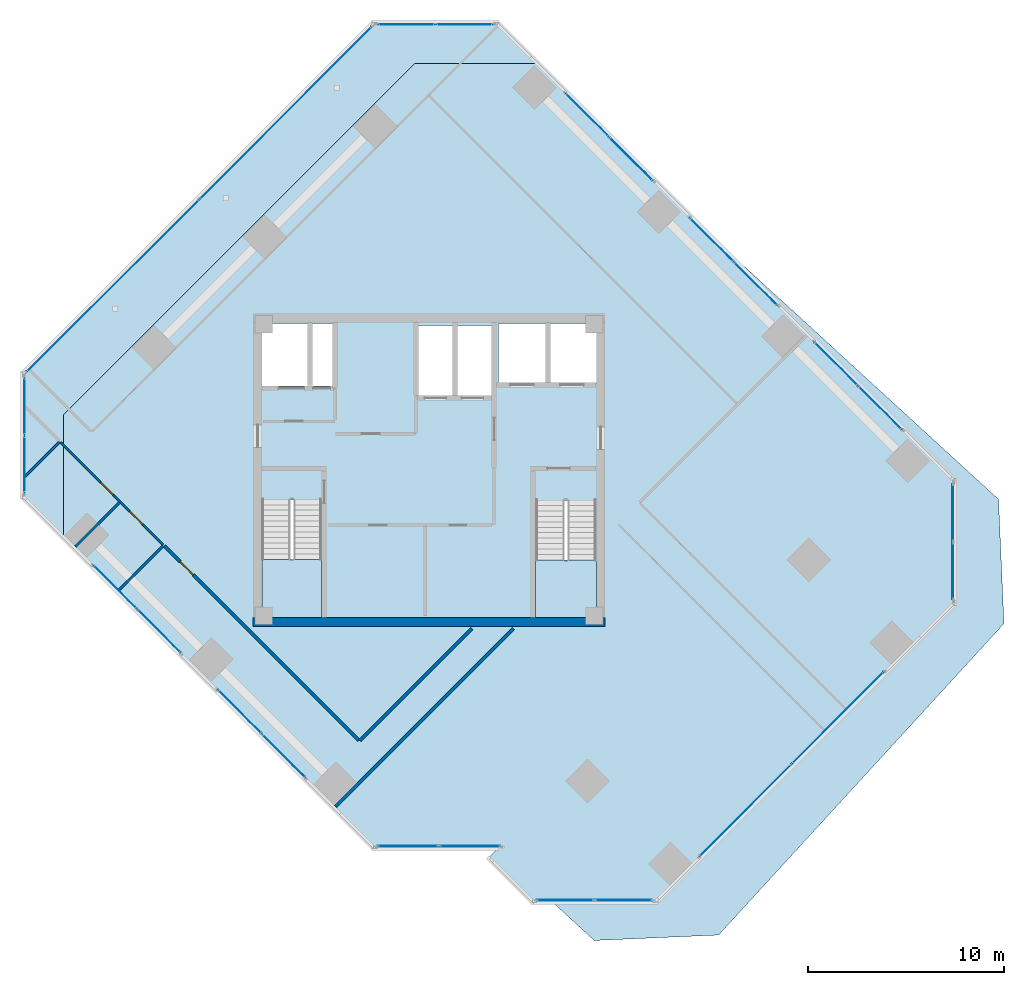
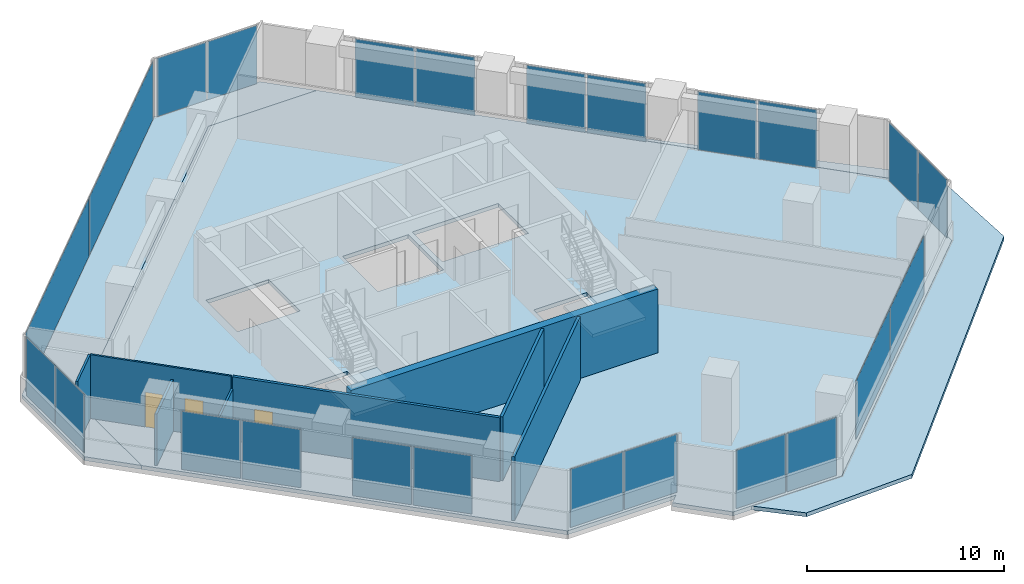
# One storey, part 12 of 17: 24 plates, 8 walls, 5 slabs, 3 doors, 3 openings, 14 elements without a shape of their own.
"""IFC4 building model written with IfcOpenShell, lengths in metres."""

from ifc_helpers import new_model, si_unit, direction, frame, frame_2d, origin, origin_2d, place, context, subcontext, project, spatial, polyline, rectangle, outline, extrude, source, transform, mapped, material, layer, layer_set, type_object, element, fill, aggregate, save


model = new_model("IFC4")

# Units and contexts
model_context = context("Model", 3, precision=1e-05, world=origin(), true_north=direction((0.0, 1.0)))
body_context = subcontext(model_context, "Body", "Model", "MODEL_VIEW")
ifc_project = project(units=[si_unit("LENGTHUNIT", "METRE"), si_unit("AREAUNIT", "SQUARE_METRE"), si_unit("VOLUMEUNIT", "CUBIC_METRE"), si_unit("PLANEANGLEUNIT", "RADIAN"), si_unit("MASSUNIT", "GRAM", prefix="KILO")], contexts=[model_context])

# Site, building, storey
site_placement = place(None, origin())
site = spatial("IfcSite", under=ifc_project, at=site_placement, CompositionType="ELEMENT")
building_placement = place(site_placement, origin())
building = spatial("IfcBuilding", under=site, at=building_placement, Name="Torre Montelarca", CompositionType="ELEMENT")
storey_placement = place(building_placement, frame((0.0, 0.0, 241.60009765625)))
storey = spatial("IfcBuildingStorey", under=building, at=storey_placement, Name="L54", CompositionType="ELEMENT", Elevation=241.60009765625)

# Slabs
ifc_material_1 = material(Name="Concrete C40/50", Category="concrete")
ifc_layer_1 = layer(ifc_material_1, 0.239990234375, Name="Concrete C40/50", Category="concrete")
ifc_layer_set_1 = layer_set([ifc_layer_1], Name="Concrete C40/50")
slab_type_1 = type_object("IfcSlabType", Name="SL-FLR-240", PredefinedType="FLOOR", material=ifc_layer_set_1)
slab_1_placement = place(storey_placement, frame((0.0, 0.0, -0.239990234375)))
element("IfcSlab", 1, at=slab_1_placement, inside=storey, type_object=slab_type_1, Name="L54 Structural Floor Slab", PredefinedType="FLOOR", context=body_context, shape_type="SweptSolid", body=[
    extrude(outline(polyline([(15.135986328125, 12.625244140625), (21.5, 12.625244140625), (21.0048828125, 12.13037109375), (23.267822265625, 9.86767578125), (29.631591796875, 9.86767578125), (44.9052734375, 25.14111328125), (44.9052734375, 31.5048828125), (23.621337890625, 52.788818359375), (17.25732421875, 52.788818359375), (-0.703125, 34.828369140625), (-0.703125, 28.464599609375), (15.135986328125, 12.625244140625)]), holes=[polyline([(26.550048828125, 24.449951171875), (23.43994140625, 24.449951171875), (23.43994140625, 30.429931640625), (26.550048828125, 30.429931640625), (26.550048828125, 24.449951171875)]), polyline([(12.5, 24.449951171875), (9.449951171875, 24.449951171875), (9.449951171875, 30.4599609375), (12.5, 30.4599609375), (12.5, 24.449951171875)]), polyline([(21.25, 39.39990234375), (21.25, 35.800048828125), (17.39990234375, 35.800048828125), (17.39990234375, 39.39990234375), (21.25, 39.39990234375)]), polyline([(13.1201171875, 36.300048828125), (9.449951171875, 36.300048828125), (9.449951171875, 39.5), (13.1201171875, 39.5), (13.1201171875, 36.300048828125)]), polyline([(26.60009765625, 36.449951171875), (21.550048828125, 36.449951171875), (21.550048828125, 39.5), (26.60009765625, 39.5), (26.60009765625, 36.449951171875)])]), origin(), (0.0, 0.0, 1.0), 0.239990234375),
])
slab_2_placement = place(storey_placement, frame((0.0, 0.0, -0.239990234375)))
element("IfcSlab", 2, at=slab_2_placement, inside=storey, type_object=slab_type_1, Name="L54 Sliding Tray Winter Garden Floor Slab W1", PredefinedType="FLOOR", context=body_context, shape_type="SweptSolid", body=[
    extrude(outline(polyline([(-0.703125, 28.464599609375), (-0.703125, 34.828369140625), (17.25732421875, 52.788818359375), (23.621337890625, 52.788818359375), (21.5, 54.910400390625), (15.135986328125, 54.910400390625), (-2.824462890625, 36.94970703125), (-2.824462890625, 30.585693359375), (-0.703125, 28.464599609375)])), origin(), (0.0, 0.0, 1.0), 0.239990234375),
])
ifc_material_2 = material(Name="Architectural concrete C40/50", Category="concrete")
ifc_layer_2 = layer(ifc_material_2, 0.239990234375, Name="Architectural concrete C40/50", Category="concrete")
ifc_layer_set_2 = layer_set([ifc_layer_2], Name="Architectural concrete C40/50")
slab_type_2 = type_object("IfcSlabType", Name="SL-ROOF-EXT-240", PredefinedType="ROOF", material=ifc_layer_set_2)
slab_3_placement = place(storey_placement, frame((0.0, 0.0, -0.239990234375)))
element("IfcSlab", 3, at=slab_3_placement, inside=storey, type_object=slab_type_2, Name="L53 Setback and Tray Overhang Roof Cap Slab 01", PredefinedType="ROOF", context=body_context, shape_type="SweptSolid", body=[
    extrude(outline(polyline([(44.9130859375, 31.50830078125), (44.9130859375, 25.1376953125), (29.635009765625, 9.859619140625), (24.347412109375, 9.859619140625), (26.443359375, 7.93896484375), (32.80126953125, 8.216552734375), (47.39404296875, 24.1416015625), (47.116455078125, 30.49951171875), (32.84033203125, 43.581298828125), (44.9130859375, 31.50830078125)])), origin(), (0.0, 0.0, 1.0), 0.239990234375),
])

# Stair, slab
stair_type_1 = type_object("IfcStairType", Name="ST-CORE-ST1", PredefinedType="HALF_TURN_STAIR", material=ifc_material_1)
stair_1_placement = place(storey_placement, origin())
stair_1 = element("IfcStair", 4, at=stair_1_placement, inside=storey, type_object=stair_type_1, Name="L54 Protected Exit Stair ST1", PredefinedType="HALF_TURN_STAIR")
ifc_layer_3 = layer(ifc_material_1, 0.199951171875, Name="Concrete C40/50", Category="concrete")
ifc_layer_set_3 = layer_set([ifc_layer_3], Name="Concrete C40/50")
slab_type_3 = type_object("IfcSlabType", Name="SL-ST-LAND-ST1", PredefinedType="LANDING", material=ifc_layer_set_3)
slab_4_placement = place(storey_placement, frame((0.0, 0.0, 1.89990234375)))
slab_4 = element("IfcSlab", 5, at=slab_4_placement, type_object=slab_type_3, Name="ST1 landing 1", PredefinedType="LANDING", context=body_context, shape_type="SweptSolid", body=[
    extrude(outline(polyline([(9.449951171875, 27.419921875), (9.449951171875, 24.449951171875), (12.5, 24.449951171875), (12.5, 27.419921875), (9.449951171875, 27.419921875)])), origin(), (0.0, 0.0, 1.0), 0.199951171875),
])
aggregate(stair_1, [slab_4])

stair_type_2 = type_object("IfcStairType", Name="ST-CORE-ST2", PredefinedType="HALF_TURN_STAIR", material=ifc_material_1)
stair_2_placement = place(storey_placement, origin())
stair_2 = element("IfcStair", 6, at=stair_2_placement, inside=storey, type_object=stair_type_2, Name="L54 Protected Exit Stair ST2", PredefinedType="HALF_TURN_STAIR")
ifc_layer_4 = layer(ifc_material_1, 0.199951171875, Name="Concrete C40/50", Category="concrete")
ifc_layer_set_4 = layer_set([ifc_layer_4], Name="Concrete C40/50")
slab_type_4 = type_object("IfcSlabType", Name="SL-ST-LAND-ST2", PredefinedType="LANDING", material=ifc_layer_set_4)
slab_5_placement = place(storey_placement, frame((0.0, 0.0, 1.89990234375)))
slab_5 = element("IfcSlab", 7, at=slab_5_placement, type_object=slab_type_4, Name="ST2 landing 1", PredefinedType="LANDING", context=body_context, shape_type="SweptSolid", body=[
    extrude(outline(polyline([(23.43994140625, 27.389892578125), (23.43994140625, 24.449951171875), (26.550048828125, 24.449951171875), (26.550048828125, 27.389892578125), (23.43994140625, 27.389892578125)])), origin(), (0.0, 0.0, 1.0), 0.199951171875),
])
aggregate(stair_2, [slab_5])

# Curtain wall, plates
ifc_material_3 = material(Name="Insulated low-E laminated glass", Category="glass")
curtain_wall_type = type_object("IfcCurtainWallType", Name="CW-SYS-Z3", PredefinedType="USERDEFINED", material=ifc_material_3)
curtain_wall_1_placement = place(storey_placement, origin())
curtain_wall_1 = element("IfcCurtainWall", 8, at=curtain_wall_1_placement, inside=storey, type_object=curtain_wall_type, Name="L54 Curtain Wall Run CW-T3-L54-E02-B1", ObjectType="UNITISED GLAZING", PredefinedType="USERDEFINED")
ifc_layer_5 = layer(ifc_material_3, 0.031982421875, Name="Insulated low-E laminated glass", Category="glass")
ifc_layer_set_5 = layer_set([ifc_layer_5], Name="Insulated low-E laminated glass")
plate_type = type_object("IfcPlateType", Name="CWP-GLZ-32", PredefinedType="CURTAIN_PANEL", material=ifc_layer_set_5)
shared_shape_1 = source(origin(), body_context, "Body", "SweptSolid", [
    extrude(rectangle(XDim=3.08740234375, YDim=0.031982421875, at=origin_2d()), origin(), (0.0, 0.0, 1.0), 3.610107421875),
])
plate_1_placement = place(storey_placement, frame((16.920654296875, 12.75537109375, 0.0546875), z_axis=(0.0, 0.0, 1.0), x_axis=(1.0, 0.0, 0.0)))
plate_1 = element("IfcPlate", 9, at=plate_1_placement, type_object=plate_type, Name="CW panel 1.1", PredefinedType="CURTAIN_PANEL", context=body_context, shape_type="MappedRepresentation", body=[
    mapped(shared_shape_1, transform((0.0, 0.0, 0.0), scale=1.0)),
])
plate_2_placement = place(storey_placement, frame((20.0830078125, 12.75537109375, 0.0546875), z_axis=(0.0, 0.0, 1.0), x_axis=(1.0, 0.0, 0.0)))
plate_2 = element("IfcPlate", 10, at=plate_2_placement, type_object=plate_type, Name="CW panel 2.1", PredefinedType="CURTAIN_PANEL", context=body_context, shape_type="MappedRepresentation", body=[
    mapped(shared_shape_1, transform((0.0, 0.0, 0.0), scale=1.0)),
])
aggregate(curtain_wall_1, [plate_1, plate_2])

curtain_wall_2_placement = place(storey_placement, origin())
curtain_wall_2 = element("IfcCurtainWall", 11, at=curtain_wall_2_placement, inside=storey, type_object=curtain_wall_type, Name="L54 Curtain Wall Run CW-T3-L54-E05-B1", ObjectType="UNITISED GLAZING", PredefinedType="USERDEFINED")
shared_shape_2 = source(origin(), body_context, "Body", "SweptSolid", [
    extrude(rectangle(XDim=2.903564453125, YDim=0.031982421875, at=origin_2d()), origin(), (0.0, 0.0, 1.0), 3.610107421875),
])
plate_3_placement = place(storey_placement, frame((24.96044921875, 9.99755859375, 0.0546875), z_axis=(0.0, 0.0, 1.0), x_axis=(1.0, 0.0, 0.0)))
plate_3 = element("IfcPlate", 12, at=plate_3_placement, type_object=plate_type, Name="CW panel 1.1", PredefinedType="CURTAIN_PANEL", context=body_context, shape_type="MappedRepresentation", body=[
    mapped(shared_shape_2, transform((0.0, 0.0, 0.0), scale=1.0)),
])
plate_4_placement = place(storey_placement, frame((27.93896484375, 9.99755859375, 0.0546875), z_axis=(0.0, 0.0, 1.0), x_axis=(1.0, 0.0, 0.0)))
plate_4 = element("IfcPlate", 13, at=plate_4_placement, type_object=plate_type, Name="CW panel 2.1", PredefinedType="CURTAIN_PANEL", context=body_context, shape_type="MappedRepresentation", body=[
    mapped(shared_shape_2, transform((0.0, 0.0, 0.0), scale=1.0)),
])
aggregate(curtain_wall_2, [plate_3, plate_4])

curtain_wall_3_placement = place(storey_placement, origin())
curtain_wall_3 = element("IfcCurtainWall", 14, at=curtain_wall_3_placement, inside=storey, type_object=curtain_wall_type, Name="L54 Curtain Wall Run CW-T3-L54-E07-B1", ObjectType="UNITISED GLAZING", PredefinedType="USERDEFINED")
plate_5_placement = place(storey_placement, frame((44.775146484375, 26.833740234375, 0.0546875), z_axis=(0.0, 0.0, 1.0), x_axis=(0.0, 1.0, 0.0)))
plate_5 = element("IfcPlate", 15, at=plate_5_placement, type_object=plate_type, Name="CW panel 1.1", PredefinedType="CURTAIN_PANEL", context=body_context, shape_type="MappedRepresentation", body=[
    mapped(shared_shape_2, transform((0.0, 0.0, 0.0), scale=1.0)),
])
plate_6_placement = place(storey_placement, frame((44.775146484375, 29.812255859375, 0.0546875), z_axis=(0.0, 0.0, 1.0), x_axis=(0.0, 1.0, 0.0)))
plate_6 = element("IfcPlate", 16, at=plate_6_placement, type_object=plate_type, Name="CW panel 2.1", PredefinedType="CURTAIN_PANEL", context=body_context, shape_type="MappedRepresentation", body=[
    mapped(shared_shape_2, transform((0.0, 0.0, 0.0), scale=1.0)),
])
aggregate(curtain_wall_3, [plate_5, plate_6])

curtain_wall_4_placement = place(storey_placement, origin())
curtain_wall_4 = element("IfcCurtainWall", 17, at=curtain_wall_4_placement, inside=storey, type_object=curtain_wall_type, Name="L54 Curtain Wall Run CW-T3-L54-E11-B1", ObjectType="UNITISED GLAZING", PredefinedType="USERDEFINED")
plate_7_placement = place(storey_placement, frame((-2.694580078125, 35.257080078125, 0.0546875), z_axis=(0.0, 0.0, 1.0), x_axis=(0.0, -1.0, 0.0)))
plate_7 = element("IfcPlate", 18, at=plate_7_placement, type_object=plate_type, Name="CW panel 1.1", PredefinedType="CURTAIN_PANEL", context=body_context, shape_type="MappedRepresentation", body=[
    mapped(shared_shape_2, transform((0.0, 0.0, 0.0), scale=1.0)),
])
plate_8_placement = place(storey_placement, frame((-2.694580078125, 32.2783203125, 0.0546875), z_axis=(0.0, 0.0, 1.0), x_axis=(0.0, -1.0, 0.0)))
plate_8 = element("IfcPlate", 19, at=plate_8_placement, type_object=plate_type, Name="CW panel 2.1", PredefinedType="CURTAIN_PANEL", context=body_context, shape_type="MappedRepresentation", body=[
    mapped(shared_shape_2, transform((0.0, 0.0, 0.0), scale=1.0)),
])
aggregate(curtain_wall_4, [plate_7, plate_8])

curtain_wall_5_placement = place(storey_placement, origin())
curtain_wall_5 = element("IfcCurtainWall", 20, at=curtain_wall_5_placement, inside=storey, type_object=curtain_wall_type, Name="L54 Curtain Wall Run CW-T3-L54-E10-B1", ObjectType="UNITISED GLAZING", PredefinedType="USERDEFINED")
shared_shape_3 = source(origin(), body_context, "Body", "SweptSolid", [
    extrude(rectangle(XDim=12.421630859375, YDim=0.031982421875, at=origin_2d()), origin(), (0.0, 0.0, 1.0), 3.610107421875),
])
plate_9_placement = place(storey_placement, frame((10.665771484375, 50.25634765625, 0.0546875), z_axis=(0.0, 0.0, 1.0), x_axis=(-0.707104786625, -0.707108775742, 0.0)))
plate_9 = element("IfcPlate", 21, at=plate_9_placement, type_object=plate_type, Name="CW panel 1.1", PredefinedType="CURTAIN_PANEL", context=body_context, shape_type="MappedRepresentation", body=[
    mapped(shared_shape_3, transform((0.0, 0.0, 0.0), scale=1.0)),
])
plate_10_placement = place(storey_placement, frame((1.829345703125, 41.419921875, 0.0546875), z_axis=(0.0, 0.0, 1.0), x_axis=(-0.707104786625, -0.707108775742, 0.0)))
plate_10 = element("IfcPlate", 22, at=plate_10_placement, type_object=plate_type, Name="CW panel 2.1", PredefinedType="CURTAIN_PANEL", context=body_context, shape_type="MappedRepresentation", body=[
    mapped(shared_shape_3, transform((0.0, 0.0, 0.0), scale=1.0)),
])
aggregate(curtain_wall_5, [plate_9, plate_10])

curtain_wall_6_placement = place(storey_placement, origin())
curtain_wall_6 = element("IfcCurtainWall", 23, at=curtain_wall_6_placement, inside=storey, type_object=curtain_wall_type, Name="L54 Curtain Wall Run CW-T3-L54-E01-B1", ObjectType="UNITISED GLAZING", PredefinedType="USERDEFINED")
shared_shape_4 = source(origin(), body_context, "Body", "SweptSolid", [
    extrude(rectangle(XDim=3.107421875, YDim=0.031982421875, at=origin_2d()), origin(), (0.0, 0.0, 1.0), 3.610107421875),
])
plate_11_placement = place(storey_placement, frame((1.9404296875, 26.004638671875, 0.0546875), z_axis=(0.0, 0.0, 1.0), x_axis=(0.707106781187, -0.707106781187, 0.0)))
plate_11 = element("IfcPlate", 24, at=plate_11_placement, type_object=plate_type, Name="CW panel 1.1", PredefinedType="CURTAIN_PANEL", context=body_context, shape_type="MappedRepresentation", body=[
    mapped(shared_shape_4, transform((0.0, 0.0, 0.0), scale=1.0)),
])
plate_12_placement = place(storey_placement, frame((4.19091796875, 23.754150390625, 0.0546875), z_axis=(0.0, 0.0, 1.0), x_axis=(0.707106781187, -0.707106781187, 0.0)))
plate_12 = element("IfcPlate", 25, at=plate_12_placement, type_object=plate_type, Name="CW panel 2.1", PredefinedType="CURTAIN_PANEL", context=body_context, shape_type="MappedRepresentation", body=[
    mapped(shared_shape_4, transform((0.0, 0.0, 0.0), scale=1.0)),
])
aggregate(curtain_wall_6, [plate_11, plate_12])

curtain_wall_7_placement = place(storey_placement, origin())
curtain_wall_7 = element("IfcCurtainWall", 26, at=curtain_wall_7_placement, inside=storey, type_object=curtain_wall_type, Name="L54 Curtain Wall Run CW-T3-L54-E01-B2", ObjectType="UNITISED GLAZING", PredefinedType="USERDEFINED")
plate_13_placement = place(storey_placement, frame((8.304443359375, 19.640625, 0.0546875), z_axis=(0.0, 0.0, 1.0), x_axis=(0.707106781187, -0.707106781187, 0.0)))
plate_13 = element("IfcPlate", 27, at=plate_13_placement, type_object=plate_type, Name="CW panel 1.1", PredefinedType="CURTAIN_PANEL", context=body_context, shape_type="MappedRepresentation", body=[
    mapped(shared_shape_4, transform((0.0, 0.0, 0.0), scale=1.0)),
])
plate_14_placement = place(storey_placement, frame((10.554931640625, 17.39013671875, 0.0546875), z_axis=(0.0, 0.0, 1.0), x_axis=(0.707106781187, -0.707106781187, 0.0)))
plate_14 = element("IfcPlate", 28, at=plate_14_placement, type_object=plate_type, Name="CW panel 2.1", PredefinedType="CURTAIN_PANEL", context=body_context, shape_type="MappedRepresentation", body=[
    mapped(shared_shape_4, transform((0.0, 0.0, 0.0), scale=1.0)),
])
aggregate(curtain_wall_7, [plate_13, plate_14])

curtain_wall_8_placement = place(storey_placement, origin())
curtain_wall_8 = element("IfcCurtainWall", 29, at=curtain_wall_8_placement, inside=storey, type_object=curtain_wall_type, Name="L54 Curtain Wall Run CW-T3-L54-E08-B1", ObjectType="UNITISED GLAZING", PredefinedType="USERDEFINED")
plate_15_placement = place(storey_placement, frame((41.0595703125, 35.1669921875, 0.0546875), z_axis=(0.0, 0.0, 1.0), x_axis=(-0.707114545144, 0.707099017144, 0.0)))
plate_15 = element("IfcPlate", 30, at=plate_15_placement, type_object=plate_type, Name="CW panel 1.1", PredefinedType="CURTAIN_PANEL", context=body_context, shape_type="MappedRepresentation", body=[
    mapped(shared_shape_4, transform((0.0, 0.0, 0.0), scale=1.0)),
])
plate_16_placement = place(storey_placement, frame((38.80908203125, 37.417236328125, 0.0546875), z_axis=(0.0, 0.0, 1.0), x_axis=(-0.707114545144, 0.707099017144, 0.0)))
plate_16 = element("IfcPlate", 31, at=plate_16_placement, type_object=plate_type, Name="CW panel 2.1", PredefinedType="CURTAIN_PANEL", context=body_context, shape_type="MappedRepresentation", body=[
    mapped(shared_shape_4, transform((0.0, 0.0, 0.0), scale=1.0)),
])
aggregate(curtain_wall_8, [plate_15, plate_16])

curtain_wall_9_placement = place(storey_placement, origin())
curtain_wall_9 = element("IfcCurtainWall", 32, at=curtain_wall_9_placement, inside=storey, type_object=curtain_wall_type, Name="L54 Curtain Wall Run CW-T3-L54-E08-B2", ObjectType="UNITISED GLAZING", PredefinedType="USERDEFINED")
plate_17_placement = place(storey_placement, frame((34.695556640625, 41.531005859375, 0.0546875), z_axis=(0.0, 0.0, 1.0), x_axis=(-0.707099017144, 0.707114545144, 0.0)))
plate_17 = element("IfcPlate", 33, at=plate_17_placement, type_object=plate_type, Name="CW panel 1.1", PredefinedType="CURTAIN_PANEL", context=body_context, shape_type="MappedRepresentation", body=[
    mapped(shared_shape_4, transform((0.0, 0.0, 0.0), scale=1.0)),
])
plate_18_placement = place(storey_placement, frame((32.445068359375, 43.78125, 0.0546875), z_axis=(0.0, 0.0, 1.0), x_axis=(-0.707099017144, 0.707114545144, 0.0)))
plate_18 = element("IfcPlate", 34, at=plate_18_placement, type_object=plate_type, Name="CW panel 2.1", PredefinedType="CURTAIN_PANEL", context=body_context, shape_type="MappedRepresentation", body=[
    mapped(shared_shape_4, transform((0.0, 0.0, 0.0), scale=1.0)),
])
aggregate(curtain_wall_9, [plate_17, plate_18])

curtain_wall_10_placement = place(storey_placement, origin())
curtain_wall_10 = element("IfcCurtainWall", 35, at=curtain_wall_10_placement, inside=storey, type_object=curtain_wall_type, Name="L54 Curtain Wall Run CW-T3-L54-E08-B3", ObjectType="UNITISED GLAZING", PredefinedType="USERDEFINED")
plate_19_placement = place(storey_placement, frame((28.33154296875, 47.89501953125, 0.0546875), z_axis=(0.0, 0.0, 1.0), x_axis=(-0.707106781187, 0.707106781187, 0.0)))
plate_19 = element("IfcPlate", 36, at=plate_19_placement, type_object=plate_type, Name="CW panel 1.1", PredefinedType="CURTAIN_PANEL", context=body_context, shape_type="MappedRepresentation", body=[
    mapped(shared_shape_4, transform((0.0, 0.0, 0.0), scale=1.0)),
])
plate_20_placement = place(storey_placement, frame((26.081298828125, 50.145263671875, 0.0546875), z_axis=(0.0, 0.0, 1.0), x_axis=(-0.707106781187, 0.707106781187, 0.0)))
plate_20 = element("IfcPlate", 37, at=plate_20_placement, type_object=plate_type, Name="CW panel 2.1", PredefinedType="CURTAIN_PANEL", context=body_context, shape_type="MappedRepresentation", body=[
    mapped(shared_shape_4, transform((0.0, 0.0, 0.0), scale=1.0)),
])
aggregate(curtain_wall_10, [plate_19, plate_20])

curtain_wall_11_placement = place(storey_placement, origin())
curtain_wall_11 = element("IfcCurtainWall", 38, at=curtain_wall_11_placement, inside=storey, type_object=curtain_wall_type, Name="L54 Curtain Wall Run CW-T3-L54-E06-B1", ObjectType="UNITISED GLAZING", PredefinedType="USERDEFINED")
shared_shape_5 = source(origin(), body_context, "Body", "SweptSolid", [
    extrude(rectangle(XDim=6.607421875, YDim=0.031982421875, at=origin_2d()), origin(), (0.0, 0.0, 1.0), 3.610107421875),
])
plate_21_placement = place(storey_placement, frame((34.177490234375, 14.59716796875, 0.0546875), z_axis=(0.0, 0.0, 1.0), x_axis=(0.707106781187, 0.707106781187, 0.0)))
plate_21 = element("IfcPlate", 39, at=plate_21_placement, type_object=plate_type, Name="CW panel 1.1", PredefinedType="CURTAIN_PANEL", context=body_context, shape_type="MappedRepresentation", body=[
    mapped(shared_shape_5, transform((0.0, 0.0, 0.0), scale=1.0)),
])
plate_22_placement = place(storey_placement, frame((38.90283203125, 19.322509765625, 0.0546875), z_axis=(0.0, 0.0, 1.0), x_axis=(0.707106781187, 0.707106781187, 0.0)))
plate_22 = element("IfcPlate", 40, at=plate_22_placement, type_object=plate_type, Name="CW panel 2.1", PredefinedType="CURTAIN_PANEL", context=body_context, shape_type="MappedRepresentation", body=[
    mapped(shared_shape_5, transform((0.0, 0.0, 0.0), scale=1.0)),
])
aggregate(curtain_wall_11, [plate_21, plate_22])

curtain_wall_12_placement = place(storey_placement, origin())
curtain_wall_12 = element("IfcCurtainWall", 41, at=curtain_wall_12_placement, inside=storey, type_object=curtain_wall_type, Name="L54 Curtain Wall Run CW-T3-L54-E09-B1", ObjectType="UNITISED GLAZING", PredefinedType="USERDEFINED")
shared_shape_6 = source(origin(), body_context, "Body", "SweptSolid", [
    extrude(rectangle(XDim=2.90380859375, YDim=0.031982421875, at=origin_2d()), origin(), (0.0, 0.0, 1.0), 3.610107421875),
])
plate_23_placement = place(storey_placement, frame((19.807373046875, 54.7802734375, 0.0546875), z_axis=(0.0, 0.0, 1.0), x_axis=(-1.0, 0.0, 0.0)))
plate_23 = element("IfcPlate", 42, at=plate_23_placement, type_object=plate_type, Name="CW panel 1.1", PredefinedType="CURTAIN_PANEL", context=body_context, shape_type="MappedRepresentation", body=[
    mapped(shared_shape_6, transform((0.0, 0.0, 0.0), scale=1.0)),
])
plate_24_placement = place(storey_placement, frame((16.82861328125, 54.7802734375, 0.0546875), z_axis=(0.0, 0.0, 1.0), x_axis=(-1.0, 0.0, 0.0)))
plate_24 = element("IfcPlate", 43, at=plate_24_placement, type_object=plate_type, Name="CW panel 2.1", PredefinedType="CURTAIN_PANEL", context=body_context, shape_type="MappedRepresentation", body=[
    mapped(shared_shape_6, transform((0.0, 0.0, 0.0), scale=1.0)),
])
aggregate(curtain_wall_12, [plate_23, plate_24])

# Wall
ifc_material_4 = material(Name="Concrete C55/67", Category="concrete")
ifc_layer_6 = layer(ifc_material_4, 0.449951171875, Name="Concrete C55/67", Category="concrete")
ifc_layer_set_6 = layer_set([ifc_layer_6], Name="Concrete C55/67")
wall_type_1 = type_object("IfcWallType", Name="CW-SHEAR-450", PredefinedType="SHEAR", material=ifc_layer_set_6)
wall_1_placement = place(storey_placement, frame((9.0, 24.22509765625, 0.0), z_axis=(0.0, 0.0, 1.0), x_axis=(1.0, 0.0, 0.0)))
element("IfcWall", 44, at=wall_1_placement, inside=storey, type_object=wall_type_1, Name="L54 Core Shear Wall CW-S1", PredefinedType="SHEAR", context=body_context, shape_type="SweptSolid", body=[
    extrude(rectangle(XDim=18.0, YDim=0.449951171875, at=frame_2d((9.0, 0.0))), origin(), (0.0, 0.0, 1.0), 3.9599609375),
])

# Wall, opening, door
ifc_material_5 = material(Name="Gypsum plasterboard on steel stud", Category="steel")
ifc_layer_7 = layer(ifc_material_5, 0.159912109375, Name="Gypsum plasterboard on steel stud", Category="steel")
ifc_layer_set_7 = layer_set([ifc_layer_7], Name="Gypsum plasterboard on steel stud")
wall_type_2 = type_object("IfcWallType", Name="PW-FIRE-160", PredefinedType="PARTITIONING", material=ifc_layer_set_7)
wall_2_placement = place(storey_placement, frame((4.45166015625, 28.117919921875, 0.0), z_axis=(0.0, 0.0, 1.0), x_axis=(0.707106781187, -0.707106781187, 0.0)))
wall_2 = element("IfcWall", 45, at=wall_2_placement, inside=storey, type_object=wall_type_2, Name="L54 Interior Partition W-L54-SOCCN", PredefinedType="PARTITIONING", context=body_context, shape_type="SweptSolid", body=[
    extrude(rectangle(XDim=14.070068359375, YDim=0.159912109375, at=frame_2d((7.03515625, 0.0))), origin(), (0.0, 0.0, 1.0), 3.9599609375),
])
opening_1_placement = place(wall_2_placement, frame((1.14990234375, 0.0, 0.0)))
opening_1 = element("IfcOpeningElement", 46, at=opening_1_placement, cuts=wall_2, Name="Opening FD-095", PredefinedType="OPENING", context=body_context, shape_type="SweptSolid", body=[
    extrude(rectangle(XDim=0.949951171875, YDim=2.14990234375, at=frame_2d((0.47509765625, 1.074951171875))), frame((0.0, 0.08984375, 0.0), z_axis=(0.0, -1.0, 0.0), x_axis=(1.0, 0.0, 0.0)), (0.0, 0.0, 1.0), 0.179931640625),
])
ifc_material_6 = material(Name="Timber fire-rated room door", Category="wood")
door_type_1 = type_object("IfcDoorType", Name="DR-FIRE-095", OperationType="NOTDEFINED", PredefinedType="DOOR", material=ifc_material_6)
shared_shape_7 = source(origin(), body_context, "Body", "SweptSolid", [
    extrude(rectangle(XDim=0.949951171875, YDim=2.14990234375, at=frame_2d((0.47509765625, 1.074951171875))), frame((0.0, 0.02490234375, 0.0), z_axis=(0.0, -1.0, 0.0), x_axis=(1.0, 0.0, 0.0)), (0.0, 0.0, 1.0), 0.050048828125),
])
door_1_placement = place(opening_1_placement, origin())
door_1 = element("IfcDoor", 47, at=door_1_placement, inside=storey, type_object=door_type_1, Name="L54 Interior Door 07", OperationType="SINGLE_SWING_RIGHT", OverallHeight=2.14990234375, OverallWidth=0.949951171875, PredefinedType="DOOR", context=body_context, shape_type="MappedRepresentation", body=[
    mapped(shared_shape_7, transform((0.0, 0.0, 0.0), scale=1.0)),
])
fill(opening_1, door_1)

# Walls
wall_3_placement = place(storey_placement, frame((14.457275390625, 18.1689453125, 0.0), z_axis=(0.0, 0.0, 1.0), x_axis=(0.707106781187, 0.707106781187, 0.0)))
element("IfcWall", 48, at=wall_3_placement, inside=storey, type_object=wall_type_2, Name="L54 Interior Partition W-L54-SOCCW3", PredefinedType="PARTITIONING", context=body_context, shape_type="SweptSolid", body=[
    extrude(rectangle(XDim=8.093017578125, YDim=0.159912109375, at=frame_2d((4.04638671875, 0.0))), origin(), (0.0, 0.0, 1.0), 3.9599609375),
])
wall_4_placement = place(storey_placement, frame((13.212646484375, 14.80322265625, 0.0), z_axis=(0.0, 0.0, 1.0), x_axis=(0.707116278481, 0.707097283765, 0.0)))
element("IfcWall", 49, at=wall_4_placement, inside=storey, type_object=wall_type_2, Name="L54 Interior Partition W-L54-ECS", PredefinedType="PARTITIONING", context=body_context, shape_type="SweptSolid", body=[
    extrude(rectangle(XDim=12.85302734375, YDim=0.159912109375, at=frame_2d((6.426513671875, 0.0))), origin(), (0.0, 0.0, 1.0), 3.9599609375),
])

# Wall, openings, doors
ifc_material_7 = material(Name="Acoustic laminated glass partition", Category="glass")
ifc_layer_8 = layer(ifc_material_7, 0.10009765625, Name="Acoustic laminated glass partition", Category="glass")
ifc_layer_set_8 = layer_set([ifc_layer_8], Name="Acoustic laminated glass partition")
wall_type_3 = type_object("IfcWallType", Name="PW-GLAZ-100", PredefinedType="PARTITIONING", material=ifc_layer_set_8)
wall_5_placement = place(storey_placement, frame((-0.8515625, 33.42138671875, 0.0), z_axis=(0.0, 0.0, 1.0), x_axis=(0.707090329382, -0.707123232608, 0.0)))
wall_5 = element("IfcWall", 50, at=wall_5_placement, inside=storey, type_object=wall_type_3, Name="L54 Interior Partition W-L54-WCN", PredefinedType="PARTITIONING", context=body_context, shape_type="SweptSolid", body=[
    extrude(rectangle(XDim=7.419921875, YDim=0.10009765625, at=frame_2d((3.7099609375, 0.0))), origin(), (0.0, 0.0, 1.0), 3.9599609375),
])
opening_2_placement = place(wall_5_placement, frame((2.89990234375, 0.0, 0.0)))
opening_2 = element("IfcOpeningElement", 51, at=opening_2_placement, cuts=wall_5, Name="Opening ID-090", PredefinedType="OPENING", context=body_context, shape_type="SweptSolid", body=[
    extrude(rectangle(XDim=0.89990234375, YDim=2.14990234375, at=frame_2d((0.449951171875, 1.074951171875))), frame((0.0, 0.06005859375, 0.0), z_axis=(0.0, -1.0, 0.0), x_axis=(1.0, 0.0, 0.0)), (0.0, 0.0, 1.0), 0.1201171875),
])
opening_3_placement = place(wall_5_placement, frame((5.0, 0.0, 0.0)))
opening_3 = element("IfcOpeningElement", 52, at=opening_3_placement, cuts=wall_5, Name="Opening ID-095", PredefinedType="OPENING", context=body_context, shape_type="SweptSolid", body=[
    extrude(rectangle(XDim=0.949951171875, YDim=2.14990234375, at=frame_2d((0.47509765625, 1.074951171875))), frame((0.0, 0.06005859375, 0.0), z_axis=(0.0, -1.0, 0.0), x_axis=(1.0, 0.0, 0.0)), (0.0, 0.0, 1.0), 0.1201171875),
])
ifc_material_8 = material(Name="Hardwood acoustic timber veneer", Category="wood")
door_type_2 = type_object("IfcDoorType", Name="DR-INT-090", OperationType="NOTDEFINED", PredefinedType="DOOR", material=ifc_material_8)
shared_shape_8 = source(origin(), body_context, "Body", "SweptSolid", [
    extrude(rectangle(XDim=0.89990234375, YDim=2.14990234375, at=frame_2d((0.449951171875, 1.074951171875))), frame((0.0, 0.02490234375, 0.0), z_axis=(0.0, -1.0, 0.0), x_axis=(1.0, 0.0, 0.0)), (0.0, 0.0, 1.0), 0.050048828125),
])
door_2_placement = place(opening_2_placement, origin())
door_2 = element("IfcDoor", 53, at=door_2_placement, inside=storey, type_object=door_type_2, Name="L54 Interior Door 05", OperationType="SINGLE_SWING_LEFT", OverallHeight=2.14990234375, OverallWidth=0.89990234375, PredefinedType="DOOR", context=body_context, shape_type="MappedRepresentation", body=[
    mapped(shared_shape_8, transform((0.0, 0.0, 0.0), scale=1.0)),
])
fill(opening_2, door_2)
door_type_3 = type_object("IfcDoorType", Name="DR-INT-095", OperationType="NOTDEFINED", PredefinedType="DOOR", material=ifc_material_8)
shared_shape_9 = source(origin(), body_context, "Body", "SweptSolid", [
    extrude(rectangle(XDim=0.949951171875, YDim=2.14990234375, at=frame_2d((0.47509765625, 1.074951171875))), frame((0.0, 0.02490234375, 0.0), z_axis=(0.0, -1.0, 0.0), x_axis=(1.0, 0.0, 0.0)), (0.0, 0.0, 1.0), 0.050048828125),
])
door_3_placement = place(opening_3_placement, origin())
door_3 = element("IfcDoor", 54, at=door_3_placement, inside=storey, type_object=door_type_3, Name="L54 Interior Door 06", OperationType="SINGLE_SWING_RIGHT", OverallHeight=2.14990234375, OverallWidth=0.949951171875, PredefinedType="DOOR", context=body_context, shape_type="MappedRepresentation", body=[
    mapped(shared_shape_9, transform((0.0, 0.0, 0.0), scale=1.0)),
])
fill(opening_3, door_3)

# Walls
ifc_layer_9 = layer(ifc_material_5, 0.114990234375, Name="Gypsum plasterboard on steel stud", Category="steel")
ifc_layer_set_9 = layer_set([ifc_layer_9], Name="Gypsum plasterboard on steel stud")
wall_type_4 = type_object("IfcWallType", Name="PW-PART-115", PredefinedType="PARTITIONING", material=ifc_layer_set_9)
wall_6_placement = place(storey_placement, frame((-2.65625, 31.67333984375, 0.0), z_axis=(0.0, 0.0, 1.0), x_axis=(0.707106781187, 0.707106781187, 0.0)))
element("IfcWall", 55, at=wall_6_placement, inside=storey, type_object=wall_type_4, Name="L54 Interior Partition W-L54-WCW", PredefinedType="PARTITIONING", context=body_context, shape_type="SweptSolid", body=[
    extrude(rectangle(XDim=2.47216796875, YDim=0.114990234375, at=frame_2d((1.236083984375, 0.0))), origin(), (0.0, 0.0, 1.0), 3.9599609375),
])
wall_7_placement = place(storey_placement, frame((2.146484375, 25.869384765625, 0.0), z_axis=(0.0, 0.0, 1.0), x_axis=(0.707106781187, 0.707106781187, 0.0)))
element("IfcWall", 56, at=wall_7_placement, inside=storey, type_object=wall_type_4, Name="L54 Interior Partition W-L54-SWCDIV", PredefinedType="PARTITIONING", context=body_context, shape_type="SweptSolid", body=[
    extrude(rectangle(XDim=3.179931640625, YDim=0.114990234375, at=frame_2d((1.58984375, 0.0))), origin(), (0.0, 0.0, 1.0), 3.19482421875),
])
ifc_layer_10 = layer(ifc_material_5, 0.135009765625, Name="Gypsum plasterboard on steel stud", Category="steel")
ifc_layer_set_10 = layer_set([ifc_layer_10], Name="Gypsum plasterboard on steel stud")
wall_type_5 = type_object("IfcWallType", Name="PW-PART-135", PredefinedType="PARTITIONING", material=ifc_layer_set_10)
wall_8_placement = place(storey_placement, frame((-0.080810546875, 28.0966796875, 0.0), z_axis=(0.0, 0.0, 1.0), x_axis=(0.707068394238, 0.707145166051, 0.0)))
element("IfcWall", 57, at=wall_8_placement, inside=storey, type_object=wall_type_5, Name="L54 Interior Partition W-L54-WCD", PredefinedType="PARTITIONING", context=body_context, shape_type="SweptSolid", body=[
    extrude(rectangle(XDim=3.18017578125, YDim=0.135009765625, at=frame_2d((1.590087890625, 0.0))), origin(), (0.0, 0.0, 1.0), 3.19482421875),
])

save(model, "model.ifc")
